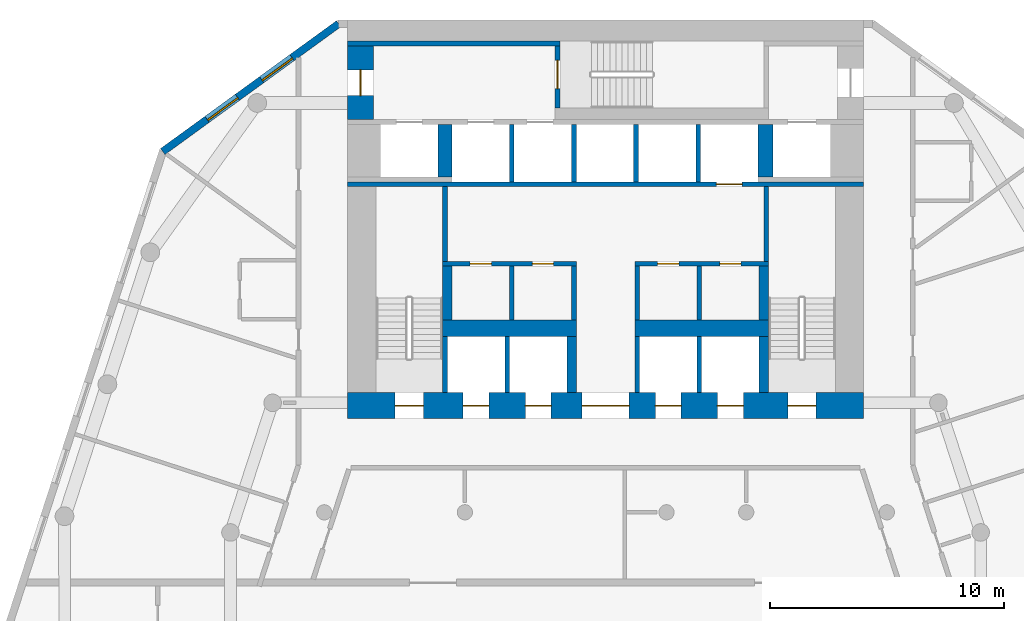
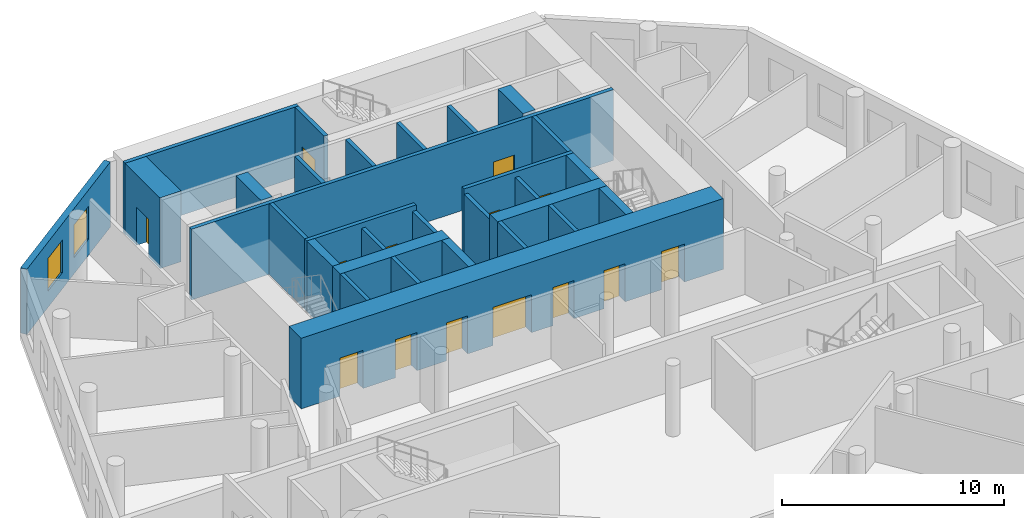
# One storey, part 5 of 9: 30 walls, 14 doors, 2 windows, 16 openings.
"""IFC4 building model written with IfcOpenShell, lengths in metres."""

from ifc_helpers import new_model, si_unit, direction, frame, frame_2d, origin, place, context, subcontext, project, spatial, rectangle, extrude, material, layer, layer_set, type_object, element, fill, save


model = new_model("IFC4")

# Units and contexts
model_context = context("Model", 3, precision=1e-05, world=origin(), true_north=direction((0.0, 1.0)))
body_context = subcontext(model_context, "Body", "Model", "MODEL_VIEW")
ifc_project = project(units=[si_unit("LENGTHUNIT", "METRE"), si_unit("AREAUNIT", "SQUARE_METRE"), si_unit("VOLUMEUNIT", "CUBIC_METRE"), si_unit("PLANEANGLEUNIT", "RADIAN"), si_unit("MASSUNIT", "GRAM", prefix="KILO")], contexts=[model_context])

# Site, building, storey
site_placement = place(None, origin())
site = spatial("IfcSite", under=ifc_project, at=site_placement, CompositionType="ELEMENT")
building_placement = place(site_placement, origin())
building = spatial("IfcBuilding", under=site, at=building_placement, Name="White Candle Pilgrim Tower", CompositionType="ELEMENT")
storey_placement = place(building_placement, frame((0.0, 0.0, 94.699951171875)))
storey = spatial("IfcBuildingStorey", under=building, at=storey_placement, Name="L20", CompositionType="ELEMENT", Elevation=94.699951171875)

# Wall, opening, door
ifc_material_1 = material(Name="Concrete C60/75", Category="concrete")
ifc_layer_1 = layer(ifc_material_1, 1.10009765625)
ifc_layer_set_1 = layer_set([ifc_layer_1], Name="Core wall 1100 mm Concrete C60/75")
wall_type_1 = type_object("IfcWallType", Name="Core wall 1100 mm Concrete C60/75", PredefinedType="SHEAR", material=ifc_layer_set_1)
wall_1_placement = place(storey_placement, frame((59.550048828125, 83.75, 0.0), z_axis=(0.0, 0.0, 1.0), x_axis=(0.0, 1.0, 0.0)))
wall_1 = element("IfcWall", 1, at=wall_1_placement, inside=storey, type_object=wall_type_1, Name="WL-L20-C44", PredefinedType="SHEAR", context=body_context, shape_type="SweptSolid", body=[
    extrude(rectangle(XDim=3.14990234375, YDim=1.10009765625, at=frame_2d((1.574951171875, 0.0))), origin(), (0.0, 0.0, 1.0), 3.900146484375),
])
opening_1_placement = place(wall_1_placement, frame((1.02490234375, 0.0, 0.0)))
opening_1 = element("IfcOpeningElement", 2, at=opening_1_placement, cuts=wall_1, Name="Opening T06-005", PredefinedType="OPENING", context=body_context, shape_type="SweptSolid", body=[
    extrude(rectangle(XDim=1.10009765625, YDim=2.10009765625, at=frame_2d((0.550048828125, 1.050048828125))), frame((0.0, 0.56005859375, 0.0), z_axis=(0.0, -1.0, 0.0), x_axis=(1.0, 0.0, 0.0)), (0.0, 0.0, 1.0), 1.1201171875),
])
ifc_material_2 = material(Name="Steel door leaf", Category="steel")
door_type_1 = type_object("IfcDoorType", Name="Fire door 1100 x 2100 EI 60", OperationType="NOTDEFINED", PredefinedType="DOOR", material=ifc_material_2)
door_1_placement = place(opening_1_placement, origin())
door_1 = element("IfcDoor", 3, at=door_1_placement, inside=storey, type_object=door_type_1, Name="Door T06-005", OperationType="SINGLE_SWING_LEFT", OverallHeight=2.10009765625, OverallWidth=1.10009765625, PredefinedType="DOOR", context=body_context, shape_type="SweptSolid", body=[
    extrude(rectangle(XDim=1.10009765625, YDim=2.10009765625, at=frame_2d((0.550048828125, 1.050048828125))), frame((0.0, 0.02490234375, 0.0), z_axis=(0.0, -1.0, 0.0), x_axis=(1.0, 0.0, 0.0)), (0.0, 0.0, 1.0), 0.050048828125),
])
fill(opening_1, door_1)

# Wall, openings, windows
ifc_material_3 = material(Name="Precast concrete C40/50", Category="concrete")
ifc_layer_2 = layer(ifc_material_3, 0.320068359375)
ifc_layer_set_2 = layer_set([ifc_layer_2], Name="Facade wall EW1 precast concrete C40/50 pier wall with timber-lined reveals")
wall_type_2 = type_object("IfcWallType", Name="Facade wall EW1 precast concrete C40/50 pier wall with timber-lined reveals", PredefinedType="SOLIDWALL", material=ifc_layer_set_2)
wall_2_placement = place(storey_placement, frame((58.614990234375, 87.840087890625, 0.0), z_axis=(0.0, 0.0, 1.0), x_axis=(-0.809009213142, -0.587795962092, 0.0)))
wall_2 = element("IfcWall", 4, at=wall_2_placement, inside=storey, type_object=wall_type_2, Name="Facade wall L20 NW chamfer", PredefinedType="SOLIDWALL", context=body_context, shape_type="SweptSolid", body=[
    extrude(rectangle(XDim=9.27392578125, YDim=0.320068359375, at=frame_2d((4.636962890625, 0.0))), origin(), (0.0, 0.0, 1.0), 3.60009765625),
])
opening_2_placement = place(wall_2_placement, frame((2.459716796875, 0.0, 0.89990234375)))
opening_2 = element("IfcOpeningElement", 5, at=opening_2_placement, cuts=wall_2, Name="Opening W2", PredefinedType="OPENING", context=body_context, shape_type="SweptSolid", body=[
    extrude(rectangle(XDim=1.60009765625, YDim=1.800048828125, at=frame_2d((0.800048828125, 0.89990234375))), frame((0.0, 0.169921875, 0.0), z_axis=(0.0, -1.0, 0.0), x_axis=(1.0, 0.0, 0.0)), (0.0, 0.0, 1.0), 0.340087890625),
])
opening_3_placement = place(wall_2_placement, frame((5.3369140625, 0.0, 0.89990234375)))
opening_3 = element("IfcOpeningElement", 6, at=opening_3_placement, cuts=wall_2, Name="Opening W2", PredefinedType="OPENING", context=body_context, shape_type="SweptSolid", body=[
    extrude(rectangle(XDim=1.60009765625, YDim=1.800048828125, at=frame_2d((0.800048828125, 0.89990234375))), frame((0.0, 0.169921875, 0.0), z_axis=(0.0, -1.0, 0.0), x_axis=(1.0, 0.0, 0.0)), (0.0, 0.0, 1.0), 0.340087890625),
])
ifc_material_4 = material(Name="Timber frame with triple glazing", Category="wood")
window_type = type_object("IfcWindowType", Name="Window W2 1600x1800 timber frame triple glazing", PartitioningType="SINGLE_PANEL", PredefinedType="WINDOW", material=ifc_material_4)
window_1_placement = place(opening_2_placement, origin())
window_1 = element("IfcWindow", 7, at=window_1_placement, inside=storey, type_object=window_type, Name="Window W2 L20 NW chamfer 1", OverallHeight=1.800048828125, OverallWidth=1.60009765625, PartitioningType="SINGLE_PANEL", PredefinedType="WINDOW", context=body_context, shape_type="SweptSolid", body=[
    extrude(rectangle(XDim=1.60009765625, YDim=1.800048828125, at=frame_2d((0.800048828125, 0.89990234375))), frame((0.0, 0.070068359375, 0.0), z_axis=(0.0, -1.0, 0.0), x_axis=(1.0, 0.0, 0.0)), (0.0, 0.0, 1.0), 0.06005859375),
])
fill(opening_2, window_1)
window_2_placement = place(opening_3_placement, origin())
window_2 = element("IfcWindow", 8, at=window_2_placement, inside=storey, type_object=window_type, Name="Window W2 L20 NW chamfer 2", OverallHeight=1.800048828125, OverallWidth=1.60009765625, PartitioningType="SINGLE_PANEL", PredefinedType="WINDOW", context=body_context, shape_type="SweptSolid", body=[
    extrude(rectangle(XDim=1.60009765625, YDim=1.800048828125, at=frame_2d((0.800048828125, 0.89990234375))), frame((0.0, 0.070068359375, 0.0), z_axis=(0.0, -1.0, 0.0), x_axis=(1.0, 0.0, 0.0)), (0.0, 0.0, 1.0), 0.06005859375),
])
fill(opening_3, window_2)

# Walls
ifc_material_5 = material(Name="Gypsum board on steel studs", Category="steel")
ifc_layer_3 = layer(ifc_material_5, 0.199951171875)
ifc_layer_set_3 = layer_set([ifc_layer_3], Name="Lobby wall 200 mm EI 60")
wall_type_3 = type_object("IfcWallType", Name="Lobby wall 200 mm EI 60", PredefinedType="PARTITIONING", material=ifc_layer_set_3)
for number, where, z_axis, x_axis, name in (
    (9, (66.0, 75.199951171875, 0.0), (0.0, 0.0, 1.0), (0.0, 1.0, 0.0), "WL-L20-C23"),
    (10, (68.64990234375, 75.199951171875, 0.0), (0.0, 0.0, 1.0), (0.0, 1.0, 0.0), "WL-L20-C24"),
    (11, (71.35009765625, 75.199951171875, 0.0), (0.0, 0.0, 1.0), (0.0, 1.0, 0.0), "WL-L20-C25"),
    (12, (74.0, 75.199951171875, 0.0), (0.0, 0.0, 1.0), (0.0, 1.0, 0.0), "WL-L20-C26"),
):
    element("IfcWall", number, at=place(storey_placement, frame(where, z_axis=z_axis, x_axis=x_axis)), inside=storey, type_object=wall_type_3, Name=name, PredefinedType="PARTITIONING", context=body_context, shape_type="SweptSolid", body=[
        extrude(rectangle(XDim=2.300048828125, YDim=0.199951171875, at=frame_2d((1.14990234375, 0.0))), origin(), (0.0, 0.0, 1.0), 3.60009765625),
    ])
ifc_layer_4 = layer(ifc_material_1, 0.199951171875)
ifc_layer_set_4 = layer_set([ifc_layer_4], Name="Shaft wall 200 mm Concrete C60/75")
wall_type_4 = type_object("IfcWallType", Name="Shaft wall 200 mm Concrete C60/75", PredefinedType="SHEAR", material=ifc_layer_set_4)
for number, where, z_axis, x_axis, name in (
    (13, (65.800048828125, 72.10009765625, 0.0), (0.0, 0.0, 1.0), (0.0, 1.0, 0.0), "WL-L20-C14"),
    (14, (71.35009765625, 72.10009765625, 0.0), (0.0, 0.0, 1.0), (0.0, 1.0, 0.0), "WL-L20-C16"),
    (15, (74.0, 72.10009765625, 0.0), (0.0, 0.0, 1.0), (0.0, 1.0, 0.0), "WL-L20-C17"),
):
    element("IfcWall", number, at=place(storey_placement, frame(where, z_axis=z_axis, x_axis=x_axis)), inside=storey, type_object=wall_type_4, Name=name, PredefinedType="SHEAR", context=body_context, shape_type="SweptSolid", body=[
        extrude(rectangle(XDim=2.39990234375, YDim=0.199951171875, at=frame_2d((1.199951171875, 0.0))), origin(), (0.0, 0.0, 1.0), 3.900146484375),
    ])
for number, where, z_axis, x_axis, name in (
    (16, (66.0, 81.10009765625, 0.0), (0.0, 0.0, 1.0), (0.0, 1.0, 0.0), "WL-L20-C34"),
    (17, (68.64990234375, 81.10009765625, 0.0), (0.0, 0.0, 1.0), (0.0, 1.0, 0.0), "WL-L20-C35"),
    (18, (71.300048828125, 81.10009765625, 0.0), (0.0, 0.0, 1.0), (0.0, 1.0, 0.0), "WL-L20-C36"),
    (19, (73.949951171875, 81.10009765625, 0.0), (0.0, 0.0, 1.0), (0.0, 1.0, 0.0), "WL-L20-C37"),
):
    element("IfcWall", number, at=place(storey_placement, frame(where, z_axis=z_axis, x_axis=x_axis)), inside=storey, type_object=wall_type_4, Name=name, PredefinedType="SHEAR", context=body_context, shape_type="SweptSolid", body=[
        extrude(rectangle(XDim=2.449951171875, YDim=0.199951171875, at=frame_2d((1.22509765625, 0.0))), origin(), (0.0, 0.0, 1.0), 3.900146484375),
    ])
ifc_layer_5 = layer(ifc_material_1, 0.39990234375)
ifc_layer_set_5 = layer_set([ifc_layer_5], Name="Shaft wall 400 mm Concrete C60/75")
wall_type_5 = type_object("IfcWallType", Name="Shaft wall 400 mm Concrete C60/75", PredefinedType="SHEAR", material=ifc_layer_set_5)
wall_3_placement = place(storey_placement, frame((68.550048828125, 72.10009765625, 0.0), z_axis=(0.0, 0.0, 1.0), x_axis=(0.0, 1.0, 0.0)))
element("IfcWall", 20, at=wall_3_placement, inside=storey, type_object=wall_type_5, Name="WL-L20-C15", PredefinedType="SHEAR", context=body_context, shape_type="SweptSolid", body=[
    extrude(rectangle(XDim=2.39990234375, YDim=0.39990234375, at=frame_2d((1.199951171875, 0.0))), origin(), (0.0, 0.0, 1.0), 3.900146484375),
])
ifc_layer_6 = layer(ifc_material_1, 0.60009765625)
ifc_layer_set_6 = layer_set([ifc_layer_6], Name="Shaft wall 600 mm Concrete C60/75")
wall_type_6 = type_object("IfcWallType", Name="Shaft wall 600 mm Concrete C60/75", PredefinedType="SHEAR", material=ifc_layer_set_6)
wall_4_placement = place(storey_placement, frame((63.14990234375, 81.300048828125, 0.0), z_axis=(0.0, 0.0, 1.0), x_axis=(0.0, 1.0, 0.0)))
element("IfcWall", 21, at=wall_4_placement, inside=storey, type_object=wall_type_6, Name="WL-L20-C40", PredefinedType="SHEAR", context=body_context, shape_type="SweptSolid", body=[
    extrude(rectangle(XDim=2.25, YDim=0.60009765625, at=frame_2d((1.125, 0.0))), origin(), (0.0, 0.0, 1.0), 3.900146484375),
])
ifc_layer_7 = layer(ifc_material_1, 0.64990234375)
ifc_layer_set_7 = layer_set([ifc_layer_7], Name="Shaft wall 650 mm Concrete C60/75")
wall_type_7 = type_object("IfcWallType", Name="Shaft wall 650 mm Concrete C60/75", PredefinedType="SHEAR", material=ifc_layer_set_7)
wall_5_placement = place(storey_placement, frame((76.824951171875, 81.300048828125, 0.0), z_axis=(0.0, 0.0, 1.0), x_axis=(0.0, 1.0, 0.0)))
element("IfcWall", 22, at=wall_5_placement, inside=storey, type_object=wall_type_7, Name="WL-L20-C41", PredefinedType="SHEAR", context=body_context, shape_type="SweptSolid", body=[
    extrude(rectangle(XDim=2.25, YDim=0.64990234375, at=frame_2d((1.125, 0.0))), origin(), (0.0, 0.0, 1.0), 3.900146484375),
])

# Wall, openings, doors
ifc_layer_8 = layer(ifc_material_1, 1.10009765625)
ifc_layer_set_8 = layer_set([ifc_layer_8], Name="Stair shaft wall 1100 mm Concrete C60/75")
wall_type_8 = type_object("IfcWallType", Name="Stair shaft wall 1100 mm Concrete C60/75", PredefinedType="SHEAR", material=ifc_layer_set_8)
wall_6_placement = place(storey_placement, frame((59.0, 71.550048828125, 0.0), z_axis=(0.0, 0.0, 1.0), x_axis=(1.0, 0.0, 0.0)))
wall_6 = element("IfcWall", 23, at=wall_6_placement, inside=storey, type_object=wall_type_8, Name="WL-L20-C11", PredefinedType="SHEAR", context=body_context, shape_type="SweptSolid", body=[
    extrude(rectangle(XDim=22.0, YDim=1.10009765625, at=frame_2d((11.0, 0.0))), origin(), (0.0, 0.0, 1.0), 3.900146484375),
])
opening_4_placement = place(wall_6_placement, frame((2.02490234375, 0.0, 0.0)))
opening_4 = element("IfcOpeningElement", 24, at=opening_4_placement, cuts=wall_6, Name="Opening T06-001", PredefinedType="OPENING", context=body_context, shape_type="SweptSolid", body=[
    extrude(rectangle(XDim=1.199951171875, YDim=2.10009765625, at=frame_2d((0.60009765625, 1.050048828125))), frame((0.0, 0.56005859375, 0.0), z_axis=(0.0, -1.0, 0.0), x_axis=(1.0, 0.0, 0.0)), (0.0, 0.0, 1.0), 1.1201171875),
])
opening_5_placement = place(wall_6_placement, frame((18.77490234375, 0.0, 0.0)))
opening_5 = element("IfcOpeningElement", 25, at=opening_5_placement, cuts=wall_6, Name="Opening T06-002", PredefinedType="OPENING", context=body_context, shape_type="SweptSolid", body=[
    extrude(rectangle(XDim=1.199951171875, YDim=2.10009765625, at=frame_2d((0.60009765625, 1.050048828125))), frame((0.0, 0.56005859375, 0.0), z_axis=(0.0, -1.0, 0.0), x_axis=(1.0, 0.0, 0.0)), (0.0, 0.0, 1.0), 1.1201171875),
])
opening_6_placement = place(wall_6_placement, frame((10.0, 0.0, 0.0)))
opening_6 = element("IfcOpeningElement", 26, at=opening_6_placement, cuts=wall_6, Name="Opening T06-004", PredefinedType="OPENING", context=body_context, shape_type="SweptSolid", body=[
    extrude(rectangle(XDim=2.0, YDim=2.10009765625, at=frame_2d((1.0, 1.050048828125))), frame((0.0, 0.56005859375, 0.0), z_axis=(0.0, -1.0, 0.0), x_axis=(1.0, 0.0, 0.0)), (0.0, 0.0, 1.0), 1.1201171875),
])
opening_7_placement = place(wall_6_placement, frame((4.925048828125, 0.0, 0.0)))
opening_7 = element("IfcOpeningElement", 27, at=opening_7_placement, cuts=wall_6, Name="Opening T06-014", PredefinedType="OPENING", context=body_context, shape_type="SweptSolid", body=[
    extrude(rectangle(XDim=1.10009765625, YDim=2.10009765625, at=frame_2d((0.550048828125, 1.050048828125))), frame((0.0, 0.56005859375, 0.0), z_axis=(0.0, -1.0, 0.0), x_axis=(1.0, 0.0, 0.0)), (0.0, 0.0, 1.0), 1.1201171875),
])
opening_8_placement = place(wall_6_placement, frame((7.574951171875, 0.0, 0.0)))
opening_8 = element("IfcOpeningElement", 28, at=opening_8_placement, cuts=wall_6, Name="Opening T06-015", PredefinedType="OPENING", context=body_context, shape_type="SweptSolid", body=[
    extrude(rectangle(XDim=1.10009765625, YDim=2.10009765625, at=frame_2d((0.550048828125, 1.050048828125))), frame((0.0, 0.56005859375, 0.0), z_axis=(0.0, -1.0, 0.0), x_axis=(1.0, 0.0, 0.0)), (0.0, 0.0, 1.0), 1.1201171875),
])
opening_9_placement = place(wall_6_placement, frame((13.125, 0.0, 0.0)))
opening_9 = element("IfcOpeningElement", 29, at=opening_9_placement, cuts=wall_6, Name="Opening T06-016", PredefinedType="OPENING", context=body_context, shape_type="SweptSolid", body=[
    extrude(rectangle(XDim=1.10009765625, YDim=2.10009765625, at=frame_2d((0.550048828125, 1.050048828125))), frame((0.0, 0.56005859375, 0.0), z_axis=(0.0, -1.0, 0.0), x_axis=(1.0, 0.0, 0.0)), (0.0, 0.0, 1.0), 1.1201171875),
])
opening_10_placement = place(wall_6_placement, frame((15.77490234375, 0.0, 0.0)))
opening_10 = element("IfcOpeningElement", 30, at=opening_10_placement, cuts=wall_6, Name="Opening T06-017", PredefinedType="OPENING", context=body_context, shape_type="SweptSolid", body=[
    extrude(rectangle(XDim=1.10009765625, YDim=2.10009765625, at=frame_2d((0.550048828125, 1.050048828125))), frame((0.0, 0.56005859375, 0.0), z_axis=(0.0, -1.0, 0.0), x_axis=(1.0, 0.0, 0.0)), (0.0, 0.0, 1.0), 1.1201171875),
])
door_type_2 = type_object("IfcDoorType", Name="Fire door 1200 x 2100 EI 60", OperationType="NOTDEFINED", PredefinedType="DOOR", material=ifc_material_2)
door_2_placement = place(opening_4_placement, frame((1.199951171875, 0.0, 0.0), z_axis=(0.0, 0.0, 1.0), x_axis=(-1.0, 0.0, 0.0)))
door_2 = element("IfcDoor", 31, at=door_2_placement, inside=storey, type_object=door_type_2, Name="Door T06-001", OperationType="SINGLE_SWING_RIGHT", OverallHeight=2.10009765625, OverallWidth=1.199951171875, PredefinedType="DOOR", context=body_context, shape_type="SweptSolid", body=[
    extrude(rectangle(XDim=1.199951171875, YDim=2.10009765625, at=frame_2d((0.60009765625, 1.050048828125))), frame((0.0, 0.02490234375, 0.0), z_axis=(0.0, -1.0, 0.0), x_axis=(1.0, 0.0, 0.0)), (0.0, 0.0, 1.0), 0.050048828125),
])
fill(opening_4, door_2)
door_3_placement = place(opening_5_placement, frame((1.199951171875, 0.0, 0.0), z_axis=(0.0, 0.0, 1.0), x_axis=(-1.0, 0.0, 0.0)))
door_3 = element("IfcDoor", 32, at=door_3_placement, inside=storey, type_object=door_type_2, Name="Door T06-002", OperationType="SINGLE_SWING_LEFT", OverallHeight=2.10009765625, OverallWidth=1.199951171875, PredefinedType="DOOR", context=body_context, shape_type="SweptSolid", body=[
    extrude(rectangle(XDim=1.199951171875, YDim=2.10009765625, at=frame_2d((0.60009765625, 1.050048828125))), frame((0.0, 0.02490234375, 0.0), z_axis=(0.0, -1.0, 0.0), x_axis=(1.0, 0.0, 0.0)), (0.0, 0.0, 1.0), 0.050048828125),
])
fill(opening_5, door_3)
door_type_3 = type_object("IfcDoorType", Name="Fire door 2000 x 2100 EI 60", OperationType="NOTDEFINED", PredefinedType="DOOR", material=ifc_material_2)
door_4_placement = place(opening_6_placement, frame((2.0, 0.0, 0.0), z_axis=(0.0, 0.0, 1.0), x_axis=(-1.0, 0.0, 0.0)))
door_4 = element("IfcDoor", 33, at=door_4_placement, inside=storey, type_object=door_type_3, Name="Door T06-004", OperationType="DOUBLE_DOOR_SINGLE_SWING", OverallHeight=2.10009765625, OverallWidth=2.0, PredefinedType="DOOR", context=body_context, shape_type="SweptSolid", body=[
    extrude(rectangle(XDim=2.0, YDim=2.10009765625, at=frame_2d((1.0, 1.050048828125))), frame((0.0, 0.02490234375, 0.0), z_axis=(0.0, -1.0, 0.0), x_axis=(1.0, 0.0, 0.0)), (0.0, 0.0, 1.0), 0.050048828125),
])
fill(opening_6, door_4)
ifc_material_6 = material(Name="Stainless steel", Category="steel")
door_type_4 = type_object("IfcDoorType", Name="Lift landing door 1100 x 2100 E 60", OperationType="DOUBLE_DOOR_SLIDING", PredefinedType="DOOR", material=ifc_material_6)
door_5_placement = place(opening_7_placement, origin())
door_5 = element("IfcDoor", 34, at=door_5_placement, inside=storey, type_object=door_type_4, Name="Door T06-014", OperationType="DOUBLE_DOOR_SLIDING", OverallHeight=2.10009765625, OverallWidth=1.10009765625, PredefinedType="DOOR", context=body_context, shape_type="SweptSolid", body=[
    extrude(rectangle(XDim=1.10009765625, YDim=2.10009765625, at=frame_2d((0.550048828125, 1.050048828125))), frame((0.0, 0.02490234375, 0.0), z_axis=(0.0, -1.0, 0.0), x_axis=(1.0, 0.0, 0.0)), (0.0, 0.0, 1.0), 0.050048828125),
])
fill(opening_7, door_5)
door_6_placement = place(opening_8_placement, origin())
door_6 = element("IfcDoor", 35, at=door_6_placement, inside=storey, type_object=door_type_4, Name="Door T06-015", OperationType="DOUBLE_DOOR_SLIDING", OverallHeight=2.10009765625, OverallWidth=1.10009765625, PredefinedType="DOOR", context=body_context, shape_type="SweptSolid", body=[
    extrude(rectangle(XDim=1.10009765625, YDim=2.10009765625, at=frame_2d((0.550048828125, 1.050048828125))), frame((0.0, 0.02490234375, 0.0), z_axis=(0.0, -1.0, 0.0), x_axis=(1.0, 0.0, 0.0)), (0.0, 0.0, 1.0), 0.050048828125),
])
fill(opening_8, door_6)
door_7_placement = place(opening_9_placement, origin())
door_7 = element("IfcDoor", 36, at=door_7_placement, inside=storey, type_object=door_type_4, Name="Door T06-016", OperationType="DOUBLE_DOOR_SLIDING", OverallHeight=2.10009765625, OverallWidth=1.10009765625, PredefinedType="DOOR", context=body_context, shape_type="SweptSolid", body=[
    extrude(rectangle(XDim=1.10009765625, YDim=2.10009765625, at=frame_2d((0.550048828125, 1.050048828125))), frame((0.0, 0.02490234375, 0.0), z_axis=(0.0, -1.0, 0.0), x_axis=(1.0, 0.0, 0.0)), (0.0, 0.0, 1.0), 0.050048828125),
])
fill(opening_9, door_7)
door_8_placement = place(opening_10_placement, origin())
door_8 = element("IfcDoor", 37, at=door_8_placement, inside=storey, type_object=door_type_4, Name="Door T06-017", OperationType="DOUBLE_DOOR_SLIDING", OverallHeight=2.10009765625, OverallWidth=1.10009765625, PredefinedType="DOOR", context=body_context, shape_type="SweptSolid", body=[
    extrude(rectangle(XDim=1.10009765625, YDim=2.10009765625, at=frame_2d((0.550048828125, 1.050048828125))), frame((0.0, 0.02490234375, 0.0), z_axis=(0.0, -1.0, 0.0), x_axis=(1.0, 0.0, 0.0)), (0.0, 0.0, 1.0), 0.050048828125),
])
fill(opening_10, door_8)

# Wall
ifc_layer_9 = layer(ifc_material_1, 0.199951171875)
ifc_layer_set_9 = layer_set([ifc_layer_9], Name="Stair shaft wall 200 mm Concrete C60/75")
wall_type_9 = type_object("IfcWallType", Name="Stair shaft wall 200 mm Concrete C60/75", PredefinedType="SHEAR", material=ifc_layer_set_9)
wall_7_placement = place(storey_placement, frame((63.14990234375, 72.10009765625, 0.0), z_axis=(0.0, 0.0, 1.0), x_axis=(0.0, 1.0, 0.0)))
element("IfcWall", 38, at=wall_7_placement, inside=storey, type_object=wall_type_9, Name="WL-L20-C13", PredefinedType="SHEAR", context=body_context, shape_type="SweptSolid", body=[
    extrude(rectangle(XDim=2.39990234375, YDim=0.199951171875, at=frame_2d((1.199951171875, 0.0))), origin(), (0.0, 0.0, 1.0), 3.900146484375),
])

# Wall, openings, doors
wall_8_placement = place(storey_placement, frame((63.050048828125, 77.60009765625, 0.0), z_axis=(0.0, 0.0, 1.0), x_axis=(1.0, 0.0, 0.0)))
wall_8 = element("IfcWall", 39, at=wall_8_placement, inside=storey, type_object=wall_type_9, Name="WL-L20-C28", PredefinedType="SHEAR", context=body_context, shape_type="SweptSolid", body=[
    extrude(rectangle(XDim=5.699951171875, YDim=0.199951171875, at=frame_2d((2.85009765625, 0.0))), origin(), (0.0, 0.0, 1.0), 3.900146484375),
])
opening_11_placement = place(wall_8_placement, frame((1.175048828125, 0.0, 0.0)))
opening_11 = element("IfcOpeningElement", 40, at=opening_11_placement, cuts=wall_8, Name="Opening T06-020", PredefinedType="OPENING", context=body_context, shape_type="SweptSolid", body=[
    extrude(rectangle(XDim=0.89990234375, YDim=2.10009765625, at=frame_2d((0.449951171875, 1.050048828125))), frame((0.0, 0.10986328125, 0.0), z_axis=(0.0, -1.0, 0.0), x_axis=(1.0, 0.0, 0.0)), (0.0, 0.0, 1.0), 0.219970703125),
])
opening_12_placement = place(wall_8_placement, frame((3.824951171875, 0.0, 0.0)))
opening_12 = element("IfcOpeningElement", 41, at=opening_12_placement, cuts=wall_8, Name="Opening T06-021", PredefinedType="OPENING", context=body_context, shape_type="SweptSolid", body=[
    extrude(rectangle(XDim=0.89990234375, YDim=2.10009765625, at=frame_2d((0.449951171875, 1.050048828125))), frame((0.0, 0.10986328125, 0.0), z_axis=(0.0, -1.0, 0.0), x_axis=(1.0, 0.0, 0.0)), (0.0, 0.0, 1.0), 0.219970703125),
])
door_type_5 = type_object("IfcDoorType", Name="Fire door 900 x 2100 EI 30", OperationType="NOTDEFINED", PredefinedType="DOOR", material=ifc_material_2)
door_9_placement = place(opening_11_placement, origin())
door_9 = element("IfcDoor", 42, at=door_9_placement, inside=storey, type_object=door_type_5, Name="Door T06-020", OperationType="SINGLE_SWING_RIGHT", OverallHeight=2.10009765625, OverallWidth=0.89990234375, PredefinedType="DOOR", context=body_context, shape_type="SweptSolid", body=[
    extrude(rectangle(XDim=0.89990234375, YDim=2.10009765625, at=frame_2d((0.449951171875, 1.050048828125))), frame((0.0, 0.02490234375, 0.0), z_axis=(0.0, -1.0, 0.0), x_axis=(1.0, 0.0, 0.0)), (0.0, 0.0, 1.0), 0.050048828125),
])
fill(opening_11, door_9)
door_10_placement = place(opening_12_placement, origin())
door_10 = element("IfcDoor", 43, at=door_10_placement, inside=storey, type_object=door_type_5, Name="Door T06-021", OperationType="SINGLE_SWING_LEFT", OverallHeight=2.10009765625, OverallWidth=0.89990234375, PredefinedType="DOOR", context=body_context, shape_type="SweptSolid", body=[
    extrude(rectangle(XDim=0.89990234375, YDim=2.10009765625, at=frame_2d((0.449951171875, 1.050048828125))), frame((0.0, 0.02490234375, 0.0), z_axis=(0.0, -1.0, 0.0), x_axis=(1.0, 0.0, 0.0)), (0.0, 0.0, 1.0), 0.050048828125),
])
fill(opening_12, door_10)

wall_9_placement = place(storey_placement, frame((71.25, 77.60009765625, 0.0), z_axis=(0.0, 0.0, 1.0), x_axis=(1.0, 0.0, 0.0)))
wall_9 = element("IfcWall", 44, at=wall_9_placement, inside=storey, type_object=wall_type_9, Name="WL-L20-C29", PredefinedType="SHEAR", context=body_context, shape_type="SweptSolid", body=[
    extrude(rectangle(XDim=5.699951171875, YDim=0.199951171875, at=frame_2d((2.85009765625, 0.0))), origin(), (0.0, 0.0, 1.0), 3.900146484375),
])
opening_13_placement = place(wall_9_placement, frame((0.97509765625, 0.0, 0.0)))
opening_13 = element("IfcOpeningElement", 45, at=opening_13_placement, cuts=wall_9, Name="Opening T06-022", PredefinedType="OPENING", context=body_context, shape_type="SweptSolid", body=[
    extrude(rectangle(XDim=0.89990234375, YDim=2.10009765625, at=frame_2d((0.449951171875, 1.050048828125))), frame((0.0, 0.10986328125, 0.0), z_axis=(0.0, -1.0, 0.0), x_axis=(1.0, 0.0, 0.0)), (0.0, 0.0, 1.0), 0.219970703125),
])
opening_14_placement = place(wall_9_placement, frame((3.625, 0.0, 0.0)))
opening_14 = element("IfcOpeningElement", 46, at=opening_14_placement, cuts=wall_9, Name="Opening T06-023", PredefinedType="OPENING", context=body_context, shape_type="SweptSolid", body=[
    extrude(rectangle(XDim=0.89990234375, YDim=2.10009765625, at=frame_2d((0.449951171875, 1.050048828125))), frame((0.0, 0.10986328125, 0.0), z_axis=(0.0, -1.0, 0.0), x_axis=(1.0, 0.0, 0.0)), (0.0, 0.0, 1.0), 0.219970703125),
])
door_11_placement = place(opening_13_placement, origin())
door_11 = element("IfcDoor", 47, at=door_11_placement, inside=storey, type_object=door_type_5, Name="Door T06-022", OperationType="SINGLE_SWING_RIGHT", OverallHeight=2.10009765625, OverallWidth=0.89990234375, PredefinedType="DOOR", context=body_context, shape_type="SweptSolid", body=[
    extrude(rectangle(XDim=0.89990234375, YDim=2.10009765625, at=frame_2d((0.449951171875, 1.050048828125))), frame((0.0, 0.02490234375, 0.0), z_axis=(0.0, -1.0, 0.0), x_axis=(1.0, 0.0, 0.0)), (0.0, 0.0, 1.0), 0.050048828125),
])
fill(opening_13, door_11)
door_12_placement = place(opening_14_placement, origin())
door_12 = element("IfcDoor", 48, at=door_12_placement, inside=storey, type_object=door_type_5, Name="Door T06-023", OperationType="SINGLE_SWING_LEFT", OverallHeight=2.10009765625, OverallWidth=0.89990234375, PredefinedType="DOOR", context=body_context, shape_type="SweptSolid", body=[
    extrude(rectangle(XDim=0.89990234375, YDim=2.10009765625, at=frame_2d((0.449951171875, 1.050048828125))), frame((0.0, 0.02490234375, 0.0), z_axis=(0.0, -1.0, 0.0), x_axis=(1.0, 0.0, 0.0)), (0.0, 0.0, 1.0), 0.050048828125),
])
fill(opening_14, door_12)

# Walls
for number, where, z_axis, x_axis, name in (
    (49, (63.14990234375, 77.699951171875, 0.0), (0.0, 0.0, 1.0), (0.0, 1.0, 0.0), "WL-L20-C30"),
    (50, (76.85009765625, 77.699951171875, 0.0), (0.0, 0.0, 1.0), (0.0, 1.0, 0.0), "WL-L20-C31"),
):
    element("IfcWall", number, at=place(storey_placement, frame(where, z_axis=z_axis, x_axis=x_axis)), inside=storey, type_object=wall_type_9, Name=name, PredefinedType="SHEAR", context=body_context, shape_type="SweptSolid", body=[
        extrude(rectangle(XDim=3.199951171875, YDim=0.199951171875, at=frame_2d((1.60009765625, 0.0))), origin(), (0.0, 0.0, 1.0), 3.900146484375),
    ])

# Wall, opening, door
wall_10_placement = place(storey_placement, frame((59.0, 81.0, 0.0), z_axis=(0.0, 0.0, 1.0), x_axis=(1.0, 0.0, 0.0)))
wall_10 = element("IfcWall", 51, at=wall_10_placement, inside=storey, type_object=wall_type_9, Name="WL-L20-C32", PredefinedType="SHEAR", context=body_context, shape_type="SweptSolid", body=[
    extrude(rectangle(XDim=22.0, YDim=0.199951171875, at=frame_2d((11.0, 0.0))), origin(), (0.0, 0.0, 1.0), 3.900146484375),
])
opening_15_placement = place(wall_10_placement, frame((15.72509765625, 0.0, 0.0)))
opening_15 = element("IfcOpeningElement", 52, at=opening_15_placement, cuts=wall_10, Name="Opening T06-013", PredefinedType="OPENING", context=body_context, shape_type="SweptSolid", body=[
    extrude(rectangle(XDim=1.10009765625, YDim=2.10009765625, at=frame_2d((0.550048828125, 1.050048828125))), frame((0.0, 0.10986328125, 0.0), z_axis=(0.0, -1.0, 0.0), x_axis=(1.0, 0.0, 0.0)), (0.0, 0.0, 1.0), 0.219970703125),
])
door_13_placement = place(opening_15_placement, origin())
door_13 = element("IfcDoor", 53, at=door_13_placement, inside=storey, type_object=door_type_4, Name="Door T06-013", OperationType="DOUBLE_DOOR_SLIDING", OverallHeight=2.10009765625, OverallWidth=1.10009765625, PredefinedType="DOOR", context=body_context, shape_type="SweptSolid", body=[
    extrude(rectangle(XDim=1.10009765625, YDim=2.10009765625, at=frame_2d((0.550048828125, 1.050048828125))), frame((0.0, 0.02490234375, 0.0), z_axis=(0.0, -1.0, 0.0), x_axis=(1.0, 0.0, 0.0)), (0.0, 0.0, 1.0), 0.050048828125),
])
fill(opening_15, door_13)

wall_11_placement = place(storey_placement, frame((67.949951171875, 84.25, 0.0), z_axis=(0.0, 0.0, 1.0), x_axis=(0.0, 1.0, 0.0)))
wall_11 = element("IfcWall", 54, at=wall_11_placement, inside=storey, type_object=wall_type_9, Name="WL-L20-C47", PredefinedType="SHEAR", context=body_context, shape_type="SweptSolid", body=[
    extrude(rectangle(XDim=2.64990234375, YDim=0.199951171875, at=frame_2d((1.324951171875, 0.0))), origin(), (0.0, 0.0, 1.0), 3.900146484375),
])
opening_16_placement = place(wall_11_placement, frame((0.824951171875, 0.0, 0.0)))
opening_16 = element("IfcOpeningElement", 55, at=opening_16_placement, cuts=wall_11, Name="Opening T06-003", PredefinedType="OPENING", context=body_context, shape_type="SweptSolid", body=[
    extrude(rectangle(XDim=1.199951171875, YDim=2.10009765625, at=frame_2d((0.60009765625, 1.050048828125))), frame((0.0, 0.10986328125, 0.0), z_axis=(0.0, -1.0, 0.0), x_axis=(1.0, 0.0, 0.0)), (0.0, 0.0, 1.0), 0.219970703125),
])
door_14_placement = place(opening_16_placement, frame((1.199951171875, 0.0, 0.0), z_axis=(0.0, 0.0, 1.0), x_axis=(-1.0, 0.0, 0.0)))
door_14 = element("IfcDoor", 56, at=door_14_placement, inside=storey, type_object=door_type_2, Name="Door T06-003", OperationType="SINGLE_SWING_RIGHT", OverallHeight=2.10009765625, OverallWidth=1.199951171875, PredefinedType="DOOR", context=body_context, shape_type="SweptSolid", body=[
    extrude(rectangle(XDim=1.199951171875, YDim=2.10009765625, at=frame_2d((0.60009765625, 1.050048828125))), frame((0.0, 0.02490234375, 0.0), z_axis=(0.0, -1.0, 0.0), x_axis=(1.0, 0.0, 0.0)), (0.0, 0.0, 1.0), 0.050048828125),
])
fill(opening_16, door_14)

# Walls
wall_12_placement = place(storey_placement, frame((59.0, 87.0, 0.0), z_axis=(0.0, 0.0, 1.0), x_axis=(1.0, 0.0, 0.0)))
element("IfcWall", 57, at=wall_12_placement, inside=storey, type_object=wall_type_9, Name="WL-L20-C49", PredefinedType="SHEAR", context=body_context, shape_type="SweptSolid", body=[
    extrude(rectangle(XDim=9.050048828125, YDim=0.199951171875, at=frame_2d((4.52490234375, 0.0))), origin(), (0.0, 0.0, 1.0), 3.900146484375),
])
ifc_layer_10 = layer(ifc_material_1, 0.39990234375)
ifc_layer_set_10 = layer_set([ifc_layer_10], Name="Stair shaft wall 400 mm Concrete C60/75")
wall_type_10 = type_object("IfcWallType", Name="Stair shaft wall 400 mm Concrete C60/75", PredefinedType="SHEAR", material=ifc_layer_set_10)
wall_13_placement = place(storey_placement, frame((76.75, 72.10009765625, 0.0), z_axis=(0.0, 0.0, 1.0), x_axis=(0.0, 1.0, 0.0)))
element("IfcWall", 58, at=wall_13_placement, inside=storey, type_object=wall_type_10, Name="WL-L20-C18", PredefinedType="SHEAR", context=body_context, shape_type="SweptSolid", body=[
    extrude(rectangle(XDim=2.39990234375, YDim=0.39990234375, at=frame_2d((1.199951171875, 0.0))), origin(), (0.0, 0.0, 1.0), 3.900146484375),
])
for number, where, z_axis, x_axis, name in (
    (59, (63.25, 75.199951171875, 0.0), (0.0, 0.0, 1.0), (0.0, 1.0, 0.0), "WL-L20-C22"),
    (60, (76.75, 75.199951171875, 0.0), (0.0, 0.0, 1.0), (0.0, 1.0, 0.0), "WL-L20-C27"),
):
    element("IfcWall", number, at=place(storey_placement, frame(where, z_axis=z_axis, x_axis=x_axis)), inside=storey, type_object=wall_type_10, Name=name, PredefinedType="SHEAR", context=body_context, shape_type="SweptSolid", body=[
        extrude(rectangle(XDim=2.300048828125, YDim=0.39990234375, at=frame_2d((1.14990234375, 0.0))), origin(), (0.0, 0.0, 1.0), 3.900146484375),
    ])
ifc_layer_11 = layer(ifc_material_1, 0.699951171875)
ifc_layer_set_11 = layer_set([ifc_layer_11], Name="Stair shaft wall 700 mm Concrete C60/75")
wall_type_11 = type_object("IfcWallType", Name="Stair shaft wall 700 mm Concrete C60/75", PredefinedType="SHEAR", material=ifc_layer_set_11)
for number, where, z_axis, x_axis, name in (
    (61, (63.050048828125, 74.85009765625, 0.0), (0.0, 0.0, 1.0), (1.0, 0.0, 0.0), "WL-L20-C20"),
    (62, (71.25, 74.85009765625, 0.0), (0.0, 0.0, 1.0), (1.0, 0.0, 0.0), "WL-L20-C21"),
):
    element("IfcWall", number, at=place(storey_placement, frame(where, z_axis=z_axis, x_axis=x_axis)), inside=storey, type_object=wall_type_11, Name=name, PredefinedType="SHEAR", context=body_context, shape_type="SweptSolid", body=[
        extrude(rectangle(XDim=5.699951171875, YDim=0.699951171875, at=frame_2d((2.85009765625, 0.0))), origin(), (0.0, 0.0, 1.0), 3.900146484375),
    ])

save(model, "model.ifc")
